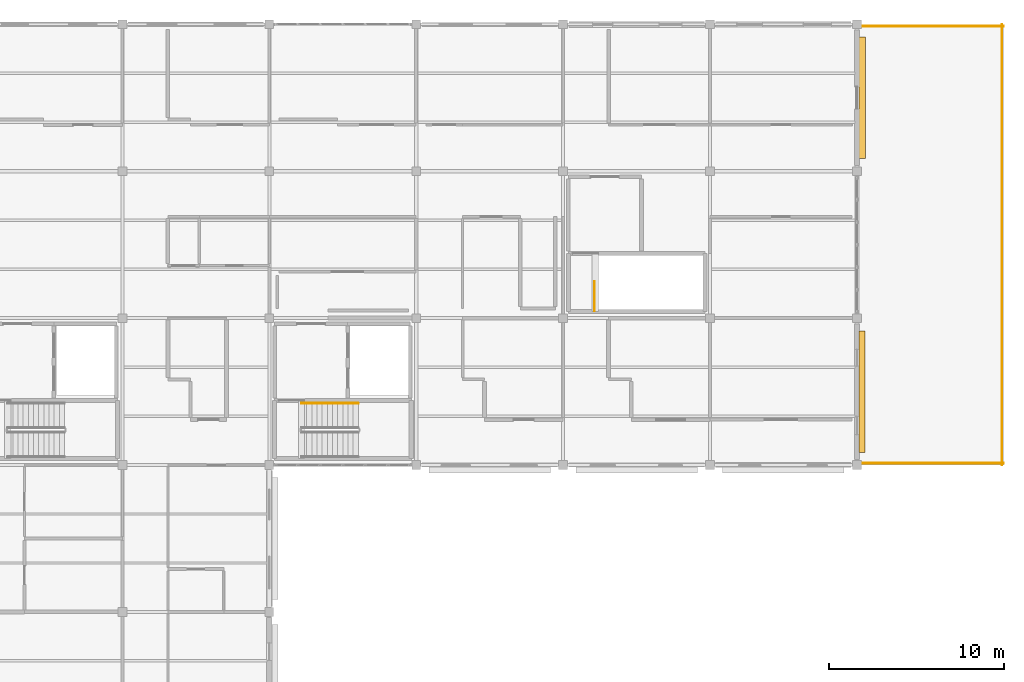
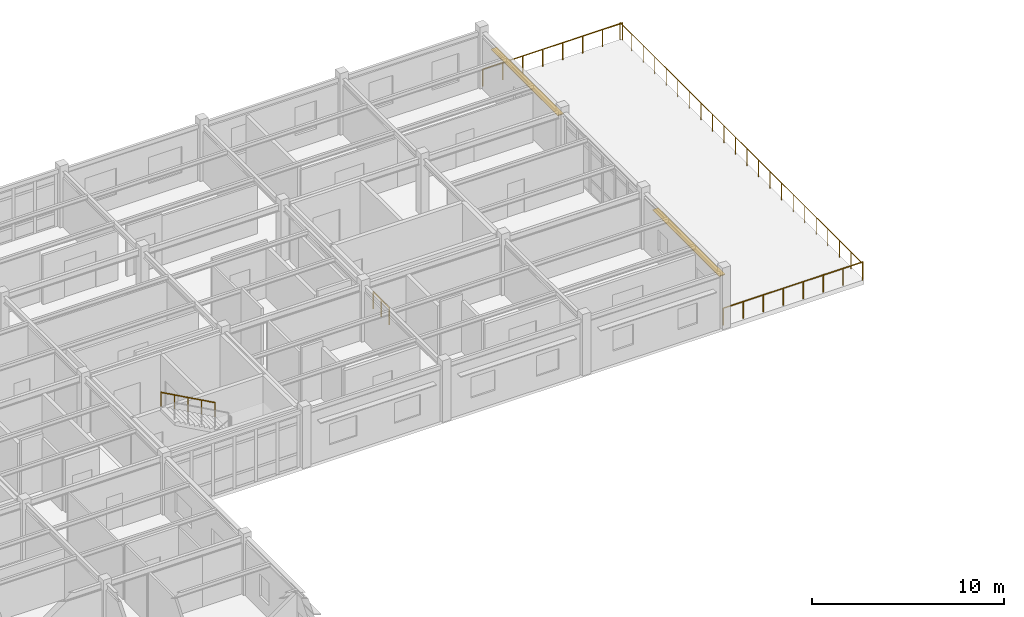
# One storey, part 53 of 53: 7 railings, 2 shading devices.
"""IFC4 building model written with IfcOpenShell, lengths in metres."""

from ifc_helpers import new_model, si_unit, direction, frame, origin, origin_2d, place, context, subcontext, project, spatial, rectangle, circle, extrude, material, material_profile, profile_set, type_object, element, save


model = new_model("IFC4")

# Units and contexts
model_context = context("Model", 3, precision=1e-05, world=origin(), true_north=direction((0.0, 1.0)))
body_context = subcontext(model_context, "Body", "Model", "MODEL_VIEW")
ifc_project = project(units=[si_unit("LENGTHUNIT", "METRE"), si_unit("AREAUNIT", "SQUARE_METRE"), si_unit("VOLUMEUNIT", "CUBIC_METRE"), si_unit("PLANEANGLEUNIT", "RADIAN"), si_unit("MASSUNIT", "GRAM", prefix="KILO")], contexts=[model_context])

# Site, building, storey
site_placement = place(None, origin())
site = spatial("IfcSite", under=ifc_project, at=site_placement, CompositionType="ELEMENT")
building_placement = place(site_placement, origin())
building = spatial("IfcBuilding", under=site, at=building_placement, Name="Bramfleet General Hospital", CompositionType="ELEMENT")
storey_placement = place(building_placement, frame((0.0, 0.0, 26.39990234375)))
storey = spatial("IfcBuildingStorey", under=building, at=storey_placement, Name="L06", CompositionType="ELEMENT", Elevation=26.39990234375)

# Railings
ifc_material_1 = material(Name="Stainless steel 1.4401 safety balustrade", Category="steel")
railing_type_1 = type_object("IfcRailingType", Name="RAIL-EXT-GUARD", PredefinedType="GUARDRAIL", material=ifc_material_1)
railing_1_placement = place(storey_placement, frame((159.5, 117.590087890625, 0.0)))
element("IfcRailing", 1, at=railing_1_placement, inside=storey, type_object=railing_type_1, Name="L06 Safety Guard Rail 207", PredefinedType="GUARDRAIL", context=body_context, shape_type="SweptSolid", body=[
    extrude(circle(Radius=0.02392578125, at=origin_2d()), frame((0.0, 0.0, 1.076171875), z_axis=(0.0, -1.0, 0.0), x_axis=(1.0, 0.0, 0.0)), (0.0, 0.0, 1.0), 8.380126953125),
    extrude(circle(Radius=0.02099609375, at=origin_2d()), origin(), (0.0, 0.0, 1.0), 1.052001953125),
    extrude(circle(Radius=0.02099609375, at=origin_2d()), frame((0.0, -1.197265625, 0.0)), (0.0, 0.0, 1.0), 1.052001953125),
    extrude(circle(Radius=0.02099609375, at=origin_2d()), frame((0.0, -2.394287109375, 0.0)), (0.0, 0.0, 1.0), 1.052001953125),
    extrude(circle(Radius=0.02099609375, at=origin_2d()), frame((0.0, -3.591552734375, 0.0)), (0.0, 0.0, 1.0), 1.052001953125),
    extrude(circle(Radius=0.02099609375, at=origin_2d()), frame((0.0, -4.78857421875, 0.0)), (0.0, 0.0, 1.0), 1.052001953125),
    extrude(circle(Radius=0.02099609375, at=origin_2d()), frame((0.0, -5.98583984375, 0.0)), (0.0, 0.0, 1.0), 1.052001953125),
    extrude(circle(Radius=0.02099609375, at=origin_2d()), frame((0.0, -7.182861328125, 0.0)), (0.0, 0.0, 1.0), 1.052001953125),
    extrude(circle(Radius=0.02099609375, at=origin_2d()), frame((0.0, -8.380126953125, 0.0)), (0.0, 0.0, 1.0), 1.052001953125),
])
railing_2_placement = place(storey_placement, frame((159.5, 109.18994140625, 0.0)))
element("IfcRailing", 2, at=railing_2_placement, inside=storey, type_object=railing_type_1, Name="L06 Safety Guard Rail 208", PredefinedType="GUARDRAIL", context=body_context, shape_type="SweptSolid", body=[
    extrude(circle(Radius=0.02392578125, at=origin_2d()), frame((0.0, 0.0, 1.076171875), z_axis=(0.0, -1.0, 0.0), x_axis=(1.0, 0.0, 0.0)), (0.0, 0.0, 1.0), 8.3798828125),
    extrude(circle(Radius=0.02099609375, at=origin_2d()), origin(), (0.0, 0.0, 1.0), 1.052001953125),
    extrude(circle(Radius=0.02099609375, at=origin_2d()), frame((0.0, -1.197021484375, 0.0)), (0.0, 0.0, 1.0), 1.052001953125),
    extrude(circle(Radius=0.02099609375, at=origin_2d()), frame((0.0, -2.394287109375, 0.0)), (0.0, 0.0, 1.0), 1.052001953125),
    extrude(circle(Radius=0.02099609375, at=origin_2d()), frame((0.0, -3.59130859375, 0.0)), (0.0, 0.0, 1.0), 1.052001953125),
    extrude(circle(Radius=0.02099609375, at=origin_2d()), frame((0.0, -4.78857421875, 0.0)), (0.0, 0.0, 1.0), 1.052001953125),
    extrude(circle(Radius=0.02099609375, at=origin_2d()), frame((0.0, -5.985595703125, 0.0)), (0.0, 0.0, 1.0), 1.052001953125),
    extrude(circle(Radius=0.02099609375, at=origin_2d()), frame((0.0, -7.182861328125, 0.0)), (0.0, 0.0, 1.0), 1.052001953125),
    extrude(circle(Radius=0.02099609375, at=origin_2d()), frame((0.0, -8.3798828125, 0.0)), (0.0, 0.0, 1.0), 1.052001953125),
])
railing_3_placement = place(storey_placement, frame((159.5, 100.7900390625, 0.0)))
element("IfcRailing", 3, at=railing_3_placement, inside=storey, type_object=railing_type_1, Name="L06 Safety Guard Rail 209", PredefinedType="GUARDRAIL", context=body_context, shape_type="SweptSolid", body=[
    extrude(circle(Radius=0.02392578125, at=origin_2d()), frame((0.0, 0.0, 1.076171875), z_axis=(0.0, -1.0, 0.0), x_axis=(1.0, 0.0, 0.0)), (0.0, 0.0, 1.0), 8.380126953125),
    extrude(circle(Radius=0.02099609375, at=origin_2d()), origin(), (0.0, 0.0, 1.0), 1.052001953125),
    extrude(circle(Radius=0.02099609375, at=origin_2d()), frame((0.0, -1.197265625, 0.0)), (0.0, 0.0, 1.0), 1.052001953125),
    extrude(circle(Radius=0.02099609375, at=origin_2d()), frame((0.0, -2.394287109375, 0.0)), (0.0, 0.0, 1.0), 1.052001953125),
    extrude(circle(Radius=0.02099609375, at=origin_2d()), frame((0.0, -3.591552734375, 0.0)), (0.0, 0.0, 1.0), 1.052001953125),
    extrude(circle(Radius=0.02099609375, at=origin_2d()), frame((0.0, -4.78857421875, 0.0)), (0.0, 0.0, 1.0), 1.052001953125),
    extrude(circle(Radius=0.02099609375, at=origin_2d()), frame((0.0, -5.98583984375, 0.0)), (0.0, 0.0, 1.0), 1.052001953125),
    extrude(circle(Radius=0.02099609375, at=origin_2d()), frame((0.0, -7.182861328125, 0.0)), (0.0, 0.0, 1.0), 1.052001953125),
    extrude(circle(Radius=0.02099609375, at=origin_2d()), frame((0.0, -8.380126953125, 0.0)), (0.0, 0.0, 1.0), 1.052001953125),
])
railing_4_placement = place(storey_placement, frame((159.590087890625, 92.5, 0.0)))
element("IfcRailing", 4, at=railing_4_placement, inside=storey, type_object=railing_type_1, Name="L06 Safety Guard Rail 210", PredefinedType="GUARDRAIL", context=body_context, shape_type="SweptSolid", body=[
    extrude(circle(Radius=0.02392578125, at=origin_2d()), frame((0.0, 0.0, 1.076171875), z_axis=(-1.0, 0.0, 0.0), x_axis=(0.0, -1.0, 0.0)), (0.0, 0.0, 1.0), 8.380126953125),
    extrude(circle(Radius=0.02099609375, at=origin_2d()), origin(), (0.0, 0.0, 1.0), 1.052001953125),
    extrude(circle(Radius=0.02099609375, at=origin_2d()), frame((-1.197265625, 0.0, 0.0)), (0.0, 0.0, 1.0), 1.052001953125),
    extrude(circle(Radius=0.02099609375, at=origin_2d()), frame((-2.394287109375, 0.0, 0.0)), (0.0, 0.0, 1.0), 1.052001953125),
    extrude(circle(Radius=0.02099609375, at=origin_2d()), frame((-3.591552734375, 0.0, 0.0)), (0.0, 0.0, 1.0), 1.052001953125),
    extrude(circle(Radius=0.02099609375, at=origin_2d()), frame((-4.78857421875, 0.0, 0.0)), (0.0, 0.0, 1.0), 1.052001953125),
    extrude(circle(Radius=0.02099609375, at=origin_2d()), frame((-5.98583984375, 0.0, 0.0)), (0.0, 0.0, 1.0), 1.052001953125),
    extrude(circle(Radius=0.02099609375, at=origin_2d()), frame((-7.182861328125, 0.0, 0.0)), (0.0, 0.0, 1.0), 1.052001953125),
    extrude(circle(Radius=0.02099609375, at=origin_2d()), frame((-8.380126953125, 0.0, 0.0)), (0.0, 0.0, 1.0), 1.052001953125),
])
railing_5_placement = place(storey_placement, frame((151.2099609375, 117.5, 0.0)))
element("IfcRailing", 5, at=railing_5_placement, inside=storey, type_object=railing_type_1, Name="L06 Safety Guard Rail 211", PredefinedType="GUARDRAIL", context=body_context, shape_type="SweptSolid", body=[
    extrude(circle(Radius=0.02392578125, at=origin_2d()), frame((0.0, 0.0, 1.076171875), z_axis=(1.0, 0.0, 0.0), x_axis=(0.0, 1.0, 0.0)), (0.0, 0.0, 1.0), 8.380126953125),
    extrude(circle(Radius=0.02099609375, at=origin_2d()), origin(), (0.0, 0.0, 1.0), 1.052001953125),
    extrude(circle(Radius=0.02099609375, at=origin_2d()), frame((1.197265625, 0.0, 0.0)), (0.0, 0.0, 1.0), 1.052001953125),
    extrude(circle(Radius=0.02099609375, at=origin_2d()), frame((2.394287109375, 0.0, 0.0)), (0.0, 0.0, 1.0), 1.052001953125),
    extrude(circle(Radius=0.02099609375, at=origin_2d()), frame((3.591552734375, 0.0, 0.0)), (0.0, 0.0, 1.0), 1.052001953125),
    extrude(circle(Radius=0.02099609375, at=origin_2d()), frame((4.78857421875, 0.0, 0.0)), (0.0, 0.0, 1.0), 1.052001953125),
    extrude(circle(Radius=0.02099609375, at=origin_2d()), frame((5.98583984375, 0.0, 0.0)), (0.0, 0.0, 1.0), 1.052001953125),
    extrude(circle(Radius=0.02099609375, at=origin_2d()), frame((7.182861328125, 0.0, 0.0)), (0.0, 0.0, 1.0), 1.052001953125),
    extrude(circle(Radius=0.02099609375, at=origin_2d()), frame((8.380126953125, 0.0, 0.0)), (0.0, 0.0, 1.0), 1.052001953125),
])
ifc_material_2 = material(Name="Powder-coated steel stair balustrade", Category="steel")
railing_type_2 = type_object("IfcRailingType", Name="RAIL-ST-GUARD", PredefinedType="GUARDRAIL", material=ifc_material_2)
railing_6_placement = place(storey_placement, frame((136.18994140625, 101.219970703125, 0.0)))
element("IfcRailing", 6, at=railing_6_placement, inside=storey, type_object=railing_type_2, Name="L06 ST-C9 top well guard 1", PredefinedType="GUARDRAIL", context=body_context, shape_type="SweptSolid", body=[
    extrude(circle(Radius=0.02392578125, at=origin_2d()), frame((0.0, 0.0, 1.076171875), z_axis=(0.0, 1.0, 0.0), x_axis=(-1.0, 0.0, 0.0)), (0.0, 0.0, 1.0), 1.659912109375),
    extrude(circle(Radius=0.02099609375, at=origin_2d()), origin(), (0.0, 0.0, 1.0), 1.052001953125),
    extrude(circle(Radius=0.02099609375, at=origin_2d()), frame((0.0, 0.830078125, 0.0)), (0.0, 0.0, 1.0), 1.052001953125),
    extrude(circle(Radius=0.02099609375, at=origin_2d()), frame((0.0, 1.659912109375, 0.0)), (0.0, 0.0, 1.0), 1.052001953125),
])
ifc_material_3 = material(Name="Stainless steel 1.4301 stair handrail", Category="steel")
railing_type_3 = type_object("IfcRailingType", Name="RAIL-ST-HND", PredefinedType="HANDRAIL", material=ifc_material_3)
railing_7_placement = place(storey_placement, frame((122.68505859375, 95.929931640625, 2.112548828125)))
element("IfcRailing", 7, at=railing_7_placement, inside=storey, type_object=railing_type_3, Name="L06 ST-C6 stair handrail 2", PredefinedType="HANDRAIL", context=body_context, shape_type="SweptSolid", body=[
    extrude(circle(Radius=0.02392578125, at=origin_2d()), frame((0.0, 0.0, 0.8759765625), z_axis=(-0.875898504189, 0.0, 0.482495399314), x_axis=(0.0, -1.0, 0.0)), (0.0, 0.0, 1.0), 3.704833984375),
    extrude(circle(Radius=0.02099609375, at=origin_2d()), origin(), (0.0, 0.0, 1.0), 0.851806640625),
    extrude(circle(Radius=0.02099609375, at=origin_2d()), frame((-0.811279296875, 0.0, 0.44677734375)), (0.0, 0.0, 1.0), 0.851806640625),
    extrude(circle(Radius=0.02099609375, at=origin_2d()), frame((-1.62255859375, 0.0, 0.893798828125)), (0.0, 0.0, 1.0), 0.851806640625),
    extrude(circle(Radius=0.02099609375, at=origin_2d()), frame((-2.433837890625, 0.0, 1.3408203125)), (0.0, 0.0, 1.0), 0.851806640625),
    extrude(circle(Radius=0.02099609375, at=origin_2d()), frame((-3.2451171875, 0.0, 1.78759765625)), (0.0, 0.0, 1.0), 0.851806640625),
])

# Shading devices
ifc_material_4 = material(Name="Anodised aluminium EN AW-6063", Category="aluminium")
ifc_material_profile = material_profile(ifc_material_4, rectangle(XDim=0.050048828125, YDim=0.35009765625, at=origin_2d()), Name="ALU LOUVRE 350x50")
ifc_profile_set = profile_set([ifc_material_profile], Name="Anodised aluminium EN AW-6063")
shading_device_type = type_object("IfcShadingDeviceType", Name="SHD-LVR-350", PredefinedType="USERDEFINED", material=ifc_profile_set)
for number, where, z_axis, x_axis, name in (
    (8, (151.507568359375, 116.875, 2.670166015625), (0.0, -1.0, 0.0), (0.0, 0.0, 1.0), "L06 Solar Shading Louvre 84"),
    (9, (151.5, 100.074951171875, 2.670166015625), (0.0, -1.0, 0.0), (0.0, 0.0, 1.0), "L06 Solar Shading Louvre 85"),
):
    element("IfcShadingDevice", number, at=place(storey_placement, frame(where, z_axis=z_axis, x_axis=x_axis)), inside=storey, type_object=shading_device_type, Name=name, ObjectType="Louvre", PredefinedType="USERDEFINED", context=body_context, shape_type="SweptSolid", body=[
        extrude(rectangle(XDim=0.050048828125, YDim=0.35009765625, at=origin_2d()), origin(), (0.0, 0.0, 1.0), 6.949951171875),
    ])

save(model, "model.ifc")
